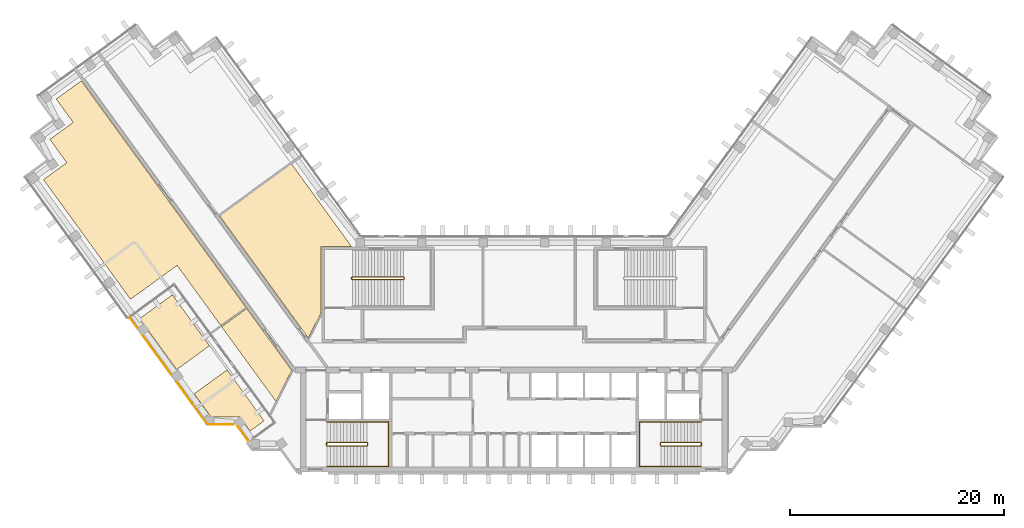
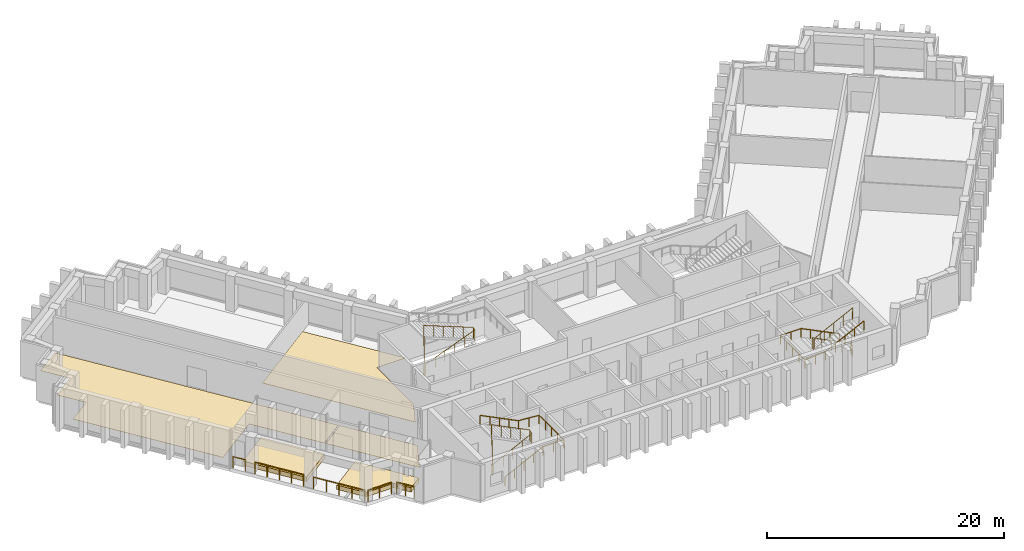
# One storey, part 11 of 12: 10 railings, 5 coverings.
"""IFC4 building model written with IfcOpenShell, lengths in metres."""

from ifc_helpers import new_model, si_unit, direction, frame, origin, origin_2d, place, context, subcontext, project, spatial, polyline, circle, outline, extrude, material, layer, layer_set, type_object, element, save


model = new_model("IFC4")

# Units and contexts
model_context = context("Model", 3, precision=1e-05, world=origin(), true_north=direction((0.0, 1.0)))
body_context = subcontext(model_context, "Body", "Model", "MODEL_VIEW")
ifc_project = project(units=[si_unit("LENGTHUNIT", "METRE"), si_unit("AREAUNIT", "SQUARE_METRE"), si_unit("VOLUMEUNIT", "CUBIC_METRE"), si_unit("PLANEANGLEUNIT", "RADIAN"), si_unit("MASSUNIT", "GRAM", prefix="KILO")], contexts=[model_context])

# Site, building, storey
site_placement = place(None, origin())
site = spatial("IfcSite", under=ifc_project, at=site_placement, CompositionType="ELEMENT")
building_placement = place(site_placement, origin())
building = spatial("IfcBuilding", under=site, at=building_placement, Name="Quipu Civic Tower", CompositionType="ELEMENT")
storey_placement = place(building_placement, frame((0.0, 0.0, 164.0)))
storey = spatial("IfcBuildingStorey", under=building, at=storey_placement, Name="L38", CompositionType="ELEMENT", Elevation=164.0)

# Coverings
ifc_material_1 = material(Name="Carpet tile on raised access floor")
ifc_layer_1 = layer(ifc_material_1, 0.02001953125)
ifc_layer_set_1 = layer_set([ifc_layer_1], Name="Carpet tile on raised access floor")
covering_type_1 = type_object("IfcCoveringType", Name="Carpet tile floor finish 20", PredefinedType="FLOORING", material=ifc_layer_set_1)
covering_1_placement = place(storey_placement, origin())
element("IfcCovering", 1, at=covering_1_placement, inside=storey, type_object=covering_type_1, Name="Carpet tile floor finish 20", PredefinedType="FLOORING", context=body_context, shape_type="SweptSolid", body=[
    extrude(outline(polyline([(-27.577880859375, 13.01708984375), (-20.85498046875, 17.90087890625), (-15.238037109375, 10.169921875), (-18.070068359375, 10.1689453125), (-18.070068359375, 3.94189453125), (-19.27197265625, 1.583984375), (-27.577880859375, 13.01708984375)])), origin(), (0.0, 0.0, 1.0), 0.02001953125),
])
covering_2_placement = place(storey_placement, origin())
element("IfcCovering", 2, at=covering_2_placement, inside=storey, type_object=covering_type_1, Name="Carpet tile floor finish 20", PredefinedType="FLOORING", context=body_context, shape_type="SweptSolid", body=[
    extrude(outline(polyline([(-44.074951171875, 16.4140625), (-41.89208984375, 17.9990234375), (-43.47802734375, 20.18505859375), (-41.294921875, 21.77197265625), (-42.881103515625, 23.9560546875), (-40.52587890625, 25.666015625), (-25.117919921875, 4.4580078125), (-27.472900390625, 2.748046875), (-31.56103515625, 8.3740234375), (-35.928955078125, 5.200927734375), (-44.074951171875, 16.4140625)])), origin(), (0.0, 0.0, 1.0), 0.02001953125),
])
covering_3_placement = place(storey_placement, origin())
element("IfcCovering", 3, at=covering_3_placement, inside=storey, type_object=covering_type_1, Name="Carpet tile floor finish 20", PredefinedType="FLOORING", context=body_context, shape_type="SweptSolid", body=[
    extrude(outline(polyline([(-27.389892578125, 2.635009765625), (-25.034912109375, 4.344970703125), (-20.821044921875, -1.4560546875), (-22.303955078125, -4.365966796875), (-27.389892578125, 2.635009765625)])), origin(), (0.0, 0.0, 1.0), 0.02001953125),
])
ifc_material_2 = material(Name="Planting soil on drainage board")
ifc_layer_2 = layer(ifc_material_2, 0.449951171875)
ifc_layer_set_2 = layer_set([ifc_layer_2], Name="Planting soil on drainage board")
covering_type_2 = type_object("IfcCoveringType", Name="Planted terrace build-up", PredefinedType="FLOORING", material=ifc_layer_set_2)
covering_4_placement = place(storey_placement, origin())
element("IfcCovering", 4, at=covering_4_placement, inside=storey, type_object=covering_type_2, Name="Planted terrace L38 bed 1", PredefinedType="FLOORING", context=body_context, shape_type="SweptSolid", body=[
    extrude(outline(polyline([(-35.0703125, 3.38916015625), (-31.99609375, 5.622802734375), (-28.528076171875, 0.849609375), (-31.602294921875, -1.38427734375), (-35.0703125, 3.38916015625)])), origin(), (0.0, 0.0, 1.0), 0.449951171875),
])
covering_5_placement = place(storey_placement, origin())
element("IfcCovering", 5, at=covering_5_placement, inside=storey, type_object=covering_type_2, Name="Planted terrace L38 bed 2", PredefinedType="FLOORING", context=body_context, shape_type="SweptSolid", body=[
    extrude(outline(polyline([(-25.671142578125, -5.831298828125), (-28.37109375, -5.831298828125), (-29.956298828125, -3.6494140625), (-26.882080078125, -1.415771484375), (-23.414306640625, -6.18896484375), (-24.721435546875, -7.138427734375), (-25.671142578125, -5.831298828125)])), origin(), (0.0, 0.0, 1.0), 0.449951171875),
])

# Railings
ifc_material_3 = material(Name="Stainless steel", Category="steel")
railing_type_1 = type_object("IfcRailingType", Name="Stair guard 1100", PredefinedType="GUARDRAIL", material=ifc_material_3)
railing_1_placement = place(storey_placement, frame((-17.5, -8.550048828125, 0.15380859375)))
element("IfcRailing", 6, at=railing_1_placement, inside=storey, type_object=railing_type_1, Name="Stair 1 guard", PredefinedType="GUARDRAIL", context=body_context, shape_type="SweptSolid", body=[
    extrude(circle(Radius=0.02392578125, at=origin_2d()), frame((0.0, 0.0, 1.076171875), z_axis=(0.895751851347, 0.0, 0.444554407028), x_axis=(0.0, 1.0, 0.0)), (0.0, 0.0, 1.0), 4.15283203125),
    extrude(circle(Radius=0.02392578125, at=origin_2d()), frame((3.719970703125, 0.0, 2.92236328125), z_axis=(0.707106781187, 0.707106781187, 0.0), x_axis=(-0.707106781187, 0.707106781187, 0.0)), (0.0, 0.0, 1.0), 0.07080078125),
    extrude(circle(Radius=0.02392578125, at=origin_2d()), frame((3.77001953125, 0.050048828125, 2.92236328125), z_axis=(0.0, 1.0, 0.0), x_axis=(-1.0, 0.0, 0.0)), (0.0, 0.0, 1.0), 0.25),
    extrude(circle(Radius=0.02392578125, at=origin_2d()), frame((3.77001953125, 0.300048828125, 2.92236328125), z_axis=(-0.295599637079, 0.295599637079, 0.908428152975), x_axis=(-0.707106781187, -0.707106781187, 0.0)), (0.0, 0.0, 1.0), 0.16943359375),
    extrude(circle(Radius=0.02392578125, at=origin_2d()), frame((3.719970703125, 0.35009765625, 3.076171875), z_axis=(-0.895751851347, 0.0, 0.444554407028), x_axis=(0.0, -1.0, 0.0)), (0.0, 0.0, 1.0), 4.15283203125),
    extrude(circle(Radius=0.02392578125, at=origin_2d()), frame((0.0, 0.35009765625, 4.92236328125), z_axis=(-0.012476181752, -0.074796231092, -0.997120789425), x_axis=(0.986372223864, -0.164529134168, 0.0)), (0.0, 0.0, 1.0), 4.011474609375),
    extrude(circle(Radius=0.02392578125, at=origin_2d()), frame((-0.050048828125, 0.050048828125, 0.92236328125), z_axis=(0.0, 1.0, 0.0), x_axis=(-1.0, 0.0, 0.0)), (0.0, 0.0, 1.0), 0.25),
    extrude(circle(Radius=0.02099609375, at=origin_2d()), origin(), (0.0, 0.0, 1.0), 1.052001953125),
    extrude(circle(Radius=0.02099609375, at=origin_2d()), frame((0.929931640625, 0.0, 0.46142578125)), (0.0, 0.0, 1.0), 1.052001953125),
    extrude(circle(Radius=0.02099609375, at=origin_2d()), frame((1.85986328125, 0.0, 0.923095703125)), (0.0, 0.0, 1.0), 1.052001953125),
    extrude(circle(Radius=0.02099609375, at=origin_2d()), frame((2.7900390625, 0.0, 1.384765625)), (0.0, 0.0, 1.0), 1.052001953125),
    extrude(circle(Radius=0.02099609375, at=origin_2d()), frame((3.719970703125, 0.0, 1.84619140625)), (0.0, 0.0, 1.0), 1.052001953125),
    extrude(circle(Radius=0.02099609375, at=origin_2d()), frame((3.77001953125, 0.050048828125, 1.84619140625)), (0.0, 0.0, 1.0), 1.052001953125),
    extrude(circle(Radius=0.02099609375, at=origin_2d()), frame((3.77001953125, 0.300048828125, 1.84619140625)), (0.0, 0.0, 1.0), 1.052001953125),
    extrude(circle(Radius=0.02099609375, at=origin_2d()), frame((3.719970703125, 0.35009765625, 2.0)), (0.0, 0.0, 1.0), 1.052001953125),
    extrude(circle(Radius=0.02099609375, at=origin_2d()), frame((2.7900390625, 0.35009765625, 2.46142578125)), (0.0, 0.0, 1.0), 1.052001953125),
    extrude(circle(Radius=0.02099609375, at=origin_2d()), frame((1.85986328125, 0.35009765625, 2.923095703125)), (0.0, 0.0, 1.0), 1.052001953125),
    extrude(circle(Radius=0.02099609375, at=origin_2d()), frame((0.929931640625, 0.35009765625, 3.384765625)), (0.0, 0.0, 1.0), 1.052001953125),
    extrude(circle(Radius=0.02099609375, at=origin_2d()), frame((0.0, 0.35009765625, 3.84619140625)), (0.0, 0.0, 1.0), 1.052001953125),
    extrude(circle(Radius=0.02099609375, at=origin_2d()), frame((-0.012451171875, 0.275146484375, 2.84619140625)), (0.0, 0.0, 1.0), 1.052001953125),
    extrude(circle(Radius=0.02099609375, at=origin_2d()), frame((-0.02490234375, 0.2001953125, 1.84619140625)), (0.0, 0.0, 1.0), 1.052001953125),
    extrude(circle(Radius=0.02099609375, at=origin_2d()), frame((-0.03759765625, 0.125, 0.84619140625)), (0.0, 0.0, 1.0), 1.052001953125),
    extrude(circle(Radius=0.02099609375, at=origin_2d()), frame((-0.050048828125, 0.050048828125, -0.15380859375)), (0.0, 0.0, 1.0), 1.052001953125),
    extrude(circle(Radius=0.02099609375, at=origin_2d()), frame((-0.050048828125, 0.300048828125, -0.15380859375)), (0.0, 0.0, 1.0), 1.052001953125),
])
railing_2_placement = place(storey_placement, frame((17.5, -8.199951171875, 0.15380859375)))
element("IfcRailing", 7, at=railing_2_placement, inside=storey, type_object=railing_type_1, Name="Stair 2 guard", PredefinedType="GUARDRAIL", context=body_context, shape_type="SweptSolid", body=[
    extrude(circle(Radius=0.02392578125, at=origin_2d()), frame((0.0, 0.0, 1.076171875), z_axis=(-0.895751851347, 0.0, 0.444554407028), x_axis=(0.0, -1.0, 0.0)), (0.0, 0.0, 1.0), 4.15283203125),
    extrude(circle(Radius=0.02392578125, at=origin_2d()), frame((-3.719970703125, 0.0, 2.92236328125), z_axis=(-0.707106781187, -0.707106781187, 0.0), x_axis=(0.707106781187, -0.707106781187, 0.0)), (0.0, 0.0, 1.0), 0.07080078125),
    extrude(circle(Radius=0.02392578125, at=origin_2d()), frame((-3.77001953125, -0.050048828125, 2.92236328125), z_axis=(0.0, -1.0, 0.0), x_axis=(1.0, 0.0, 0.0)), (0.0, 0.0, 1.0), 0.25),
    extrude(circle(Radius=0.02392578125, at=origin_2d()), frame((-3.77001953125, -0.300048828125, 2.92236328125), z_axis=(0.295599637079, -0.295599637079, 0.908428152975), x_axis=(0.707106781187, 0.707106781187, 0.0)), (0.0, 0.0, 1.0), 0.16943359375),
    extrude(circle(Radius=0.02392578125, at=origin_2d()), frame((-3.719970703125, -0.35009765625, 3.076171875), z_axis=(0.895751851347, 0.0, 0.444554407028), x_axis=(0.0, 1.0, 0.0)), (0.0, 0.0, 1.0), 4.15283203125),
    extrude(circle(Radius=0.02392578125, at=origin_2d()), frame((0.0, -0.35009765625, 4.92236328125), z_axis=(0.012476181752, 0.074796231092, -0.997120789425), x_axis=(-0.986372223864, 0.164529134168, 0.0)), (0.0, 0.0, 1.0), 4.011474609375),
    extrude(circle(Radius=0.02392578125, at=origin_2d()), frame((0.050048828125, -0.050048828125, 0.92236328125), z_axis=(0.0, -1.0, 0.0), x_axis=(1.0, 0.0, 0.0)), (0.0, 0.0, 1.0), 0.25),
    extrude(circle(Radius=0.02099609375, at=origin_2d()), origin(), (0.0, 0.0, 1.0), 1.052001953125),
    extrude(circle(Radius=0.02099609375, at=origin_2d()), frame((-0.929931640625, 0.0, 0.46142578125)), (0.0, 0.0, 1.0), 1.052001953125),
    extrude(circle(Radius=0.02099609375, at=origin_2d()), frame((-1.85986328125, 0.0, 0.923095703125)), (0.0, 0.0, 1.0), 1.052001953125),
    extrude(circle(Radius=0.02099609375, at=origin_2d()), frame((-2.7900390625, 0.0, 1.384765625)), (0.0, 0.0, 1.0), 1.052001953125),
    extrude(circle(Radius=0.02099609375, at=origin_2d()), frame((-3.719970703125, 0.0, 1.84619140625)), (0.0, 0.0, 1.0), 1.052001953125),
    extrude(circle(Radius=0.02099609375, at=origin_2d()), frame((-3.77001953125, -0.050048828125, 1.84619140625)), (0.0, 0.0, 1.0), 1.052001953125),
    extrude(circle(Radius=0.02099609375, at=origin_2d()), frame((-3.77001953125, -0.300048828125, 1.84619140625)), (0.0, 0.0, 1.0), 1.052001953125),
    extrude(circle(Radius=0.02099609375, at=origin_2d()), frame((-3.719970703125, -0.35009765625, 2.0)), (0.0, 0.0, 1.0), 1.052001953125),
    extrude(circle(Radius=0.02099609375, at=origin_2d()), frame((-2.7900390625, -0.35009765625, 2.46142578125)), (0.0, 0.0, 1.0), 1.052001953125),
    extrude(circle(Radius=0.02099609375, at=origin_2d()), frame((-1.85986328125, -0.35009765625, 2.923095703125)), (0.0, 0.0, 1.0), 1.052001953125),
    extrude(circle(Radius=0.02099609375, at=origin_2d()), frame((-0.929931640625, -0.35009765625, 3.384765625)), (0.0, 0.0, 1.0), 1.052001953125),
    extrude(circle(Radius=0.02099609375, at=origin_2d()), frame((0.0, -0.35009765625, 3.84619140625)), (0.0, 0.0, 1.0), 1.052001953125),
    extrude(circle(Radius=0.02099609375, at=origin_2d()), frame((0.012451171875, -0.275146484375, 2.84619140625)), (0.0, 0.0, 1.0), 1.052001953125),
    extrude(circle(Radius=0.02099609375, at=origin_2d()), frame((0.02490234375, -0.2001953125, 1.84619140625)), (0.0, 0.0, 1.0), 1.052001953125),
    extrude(circle(Radius=0.02099609375, at=origin_2d()), frame((0.03759765625, -0.125, 0.84619140625)), (0.0, 0.0, 1.0), 1.052001953125),
    extrude(circle(Radius=0.02099609375, at=origin_2d()), frame((0.050048828125, -0.050048828125, -0.15380859375)), (0.0, 0.0, 1.0), 1.052001953125),
    extrude(circle(Radius=0.02099609375, at=origin_2d()), frame((0.050048828125, -0.300048828125, -0.15380859375)), (0.0, 0.0, 1.0), 1.052001953125),
])
railing_3_placement = place(storey_placement, frame((-15.14990234375, 7.050048828125, 0.11767578125)))
element("IfcRailing", 8, at=railing_3_placement, inside=storey, type_object=railing_type_1, Name="Stair 3 guard", PredefinedType="GUARDRAIL", context=body_context, shape_type="SweptSolid", body=[
    extrude(circle(Radius=0.02392578125, at=origin_2d()), frame((0.0, 0.0, 1.076171875), z_axis=(0.930970042603, 0.0, 0.365095576219), x_axis=(0.0, 1.0, 0.0)), (0.0, 0.0, 1.0), 5.15576171875),
    extrude(circle(Radius=0.02392578125, at=origin_2d()), frame((4.7998046875, 0.0, 2.95849609375), z_axis=(0.707106781187, 0.707106781187, 0.0), x_axis=(-0.707106781187, 0.707106781187, 0.0)), (0.0, 0.0, 1.0), 0.07080078125),
    extrude(circle(Radius=0.02392578125, at=origin_2d()), frame((4.849853515625, 0.050048828125, 2.95849609375), z_axis=(0.0, 1.0, 0.0), x_axis=(-1.0, 0.0, 0.0)), (0.0, 0.0, 1.0), 0.14990234375),
    extrude(circle(Radius=0.02392578125, at=origin_2d()), frame((4.849853515625, 0.199951171875, 2.95849609375), z_axis=(-0.364463019033, 0.364463019033, 0.856932561824), x_axis=(-0.707106781187, -0.707106781187, 0.0)), (0.0, 0.0, 1.0), 0.13720703125),
    extrude(circle(Radius=0.02392578125, at=origin_2d()), frame((4.7998046875, 0.25, 3.076171875), z_axis=(-0.930970042603, 0.0, 0.365095576219), x_axis=(0.0, -1.0, 0.0)), (0.0, 0.0, 1.0), 5.15576171875),
    extrude(circle(Radius=0.02392578125, at=origin_2d()), frame((0.0, 0.25, 4.95849609375), z_axis=(-0.012495627992, -0.049921557685, -0.998674970829), x_axis=(0.970072785993, -0.242814311512, 0.0)), (0.0, 0.0, 1.0), 4.00537109375),
    extrude(circle(Radius=0.02392578125, at=origin_2d()), frame((-0.050048828125, 0.050048828125, 0.95849609375), z_axis=(0.0, 1.0, 0.0), x_axis=(-1.0, 0.0, 0.0)), (0.0, 0.0, 1.0), 0.14990234375),
    extrude(circle(Radius=0.02099609375, at=origin_2d()), origin(), (0.0, 0.0, 1.0), 1.052001953125),
    extrude(circle(Radius=0.02099609375, at=origin_2d()), frame((0.9599609375, 0.0, 0.37646484375)), (0.0, 0.0, 1.0), 1.052001953125),
    extrude(circle(Radius=0.02099609375, at=origin_2d()), frame((1.919921875, 0.0, 0.7529296875)), (0.0, 0.0, 1.0), 1.052001953125),
    extrude(circle(Radius=0.02099609375, at=origin_2d()), frame((2.8798828125, 0.0, 1.12939453125)), (0.0, 0.0, 1.0), 1.052001953125),
    extrude(circle(Radius=0.02099609375, at=origin_2d()), frame((3.83984375, 0.0, 1.505859375)), (0.0, 0.0, 1.0), 1.052001953125),
    extrude(circle(Radius=0.02099609375, at=origin_2d()), frame((4.7998046875, 0.0, 1.88232421875)), (0.0, 0.0, 1.0), 1.052001953125),
    extrude(circle(Radius=0.02099609375, at=origin_2d()), frame((4.849853515625, 0.050048828125, 1.88232421875)), (0.0, 0.0, 1.0), 1.052001953125),
    extrude(circle(Radius=0.02099609375, at=origin_2d()), frame((4.849853515625, 0.199951171875, 1.88232421875)), (0.0, 0.0, 1.0), 1.052001953125),
    extrude(circle(Radius=0.02099609375, at=origin_2d()), frame((4.7998046875, 0.25, 2.0)), (0.0, 0.0, 1.0), 1.052001953125),
    extrude(circle(Radius=0.02099609375, at=origin_2d()), frame((3.83984375, 0.25, 2.37646484375)), (0.0, 0.0, 1.0), 1.052001953125),
    extrude(circle(Radius=0.02099609375, at=origin_2d()), frame((2.8798828125, 0.25, 2.7529296875)), (0.0, 0.0, 1.0), 1.052001953125),
    extrude(circle(Radius=0.02099609375, at=origin_2d()), frame((1.919921875, 0.25, 3.12939453125)), (0.0, 0.0, 1.0), 1.052001953125),
    extrude(circle(Radius=0.02099609375, at=origin_2d()), frame((0.9599609375, 0.25, 3.505859375)), (0.0, 0.0, 1.0), 1.052001953125),
    extrude(circle(Radius=0.02099609375, at=origin_2d()), frame((0.0, 0.25, 3.88232421875)), (0.0, 0.0, 1.0), 1.052001953125),
    extrude(circle(Radius=0.02099609375, at=origin_2d()), frame((-0.012451171875, 0.199951171875, 2.88232421875)), (0.0, 0.0, 1.0), 1.052001953125),
    extrude(circle(Radius=0.02099609375, at=origin_2d()), frame((-0.02490234375, 0.14990234375, 1.88232421875)), (0.0, 0.0, 1.0), 1.052001953125),
    extrude(circle(Radius=0.02099609375, at=origin_2d()), frame((-0.03759765625, 0.10009765625, 0.88232421875)), (0.0, 0.0, 1.0), 1.052001953125),
    extrude(circle(Radius=0.02099609375, at=origin_2d()), frame((-0.050048828125, 0.050048828125, -0.11767578125)), (0.0, 0.0, 1.0), 1.052001953125),
    extrude(circle(Radius=0.02099609375, at=origin_2d()), frame((-0.050048828125, 0.199951171875, -0.11767578125)), (0.0, 0.0, 1.0), 1.052001953125),
])
ifc_material_4 = material(Name="Stainless steel", Category="steel")
railing_type_2 = type_object("IfcRailingType", Name="Stair handrail", PredefinedType="HANDRAIL", material=ifc_material_4)
railing_4_placement = place(storey_placement, frame((-17.5, -10.449951171875, 0.15380859375)))
element("IfcRailing", 9, at=railing_4_placement, inside=storey, type_object=railing_type_2, Name="Stair 1 handrail", PredefinedType="HANDRAIL", context=body_context, shape_type="SweptSolid", body=[
    extrude(circle(Radius=0.02392578125, at=origin_2d()), frame((0.0, 0.0, 0.8759765625), z_axis=(0.895751851347, 0.0, 0.444554407028), x_axis=(0.0, 1.0, 0.0)), (0.0, 0.0, 1.0), 4.15283203125),
    extrude(circle(Radius=0.02392578125, at=origin_2d()), frame((3.719970703125, 0.0, 2.72216796875), z_axis=(1.0, 0.0, 0.0), x_axis=(0.0, 1.0, 0.0)), (0.0, 0.0, 1.0), 2.030029296875),
    extrude(circle(Radius=0.02392578125, at=origin_2d()), frame((5.75, 0.0, 2.72216796875), z_axis=(0.0, 1.0, 0.0), x_axis=(-1.0, 0.0, 0.0)), (0.0, 0.0, 1.0), 4.14990234375),
    extrude(circle(Radius=0.02392578125, at=origin_2d()), frame((5.75, 4.14990234375, 2.72216796875), z_axis=(-0.997142003663, 0.0, 0.075550145798), x_axis=(0.0, -1.0, 0.0)), (0.0, 0.0, 1.0), 2.035888671875),
    extrude(circle(Radius=0.02392578125, at=origin_2d()), frame((3.719970703125, 4.14990234375, 2.8759765625), z_axis=(-0.895751851347, 0.0, 0.444554407028), x_axis=(0.0, -1.0, 0.0)), (0.0, 0.0, 1.0), 4.15283203125),
    extrude(circle(Radius=0.02099609375, at=origin_2d()), origin(), (0.0, 0.0, 1.0), 0.851806640625),
    extrude(circle(Radius=0.02099609375, at=origin_2d()), frame((0.929931640625, 0.0, 0.46142578125)), (0.0, 0.0, 1.0), 0.851806640625),
    extrude(circle(Radius=0.02099609375, at=origin_2d()), frame((1.85986328125, 0.0, 0.923095703125)), (0.0, 0.0, 1.0), 0.851806640625),
    extrude(circle(Radius=0.02099609375, at=origin_2d()), frame((2.7900390625, 0.0, 1.384765625)), (0.0, 0.0, 1.0), 0.851806640625),
    extrude(circle(Radius=0.02099609375, at=origin_2d()), frame((3.719970703125, 0.0, 1.84619140625)), (0.0, 0.0, 1.0), 0.851806640625),
    extrude(circle(Radius=0.02099609375, at=origin_2d()), frame((4.73486328125, 0.0, 1.84619140625)), (0.0, 0.0, 1.0), 0.851806640625),
    extrude(circle(Radius=0.02099609375, at=origin_2d()), frame((5.75, 0.0, 1.84619140625)), (0.0, 0.0, 1.0), 0.851806640625),
    extrude(circle(Radius=0.02099609375, at=origin_2d()), frame((5.75, 1.03759765625, 1.84619140625)), (0.0, 0.0, 1.0), 0.851806640625),
    extrude(circle(Radius=0.02099609375, at=origin_2d()), frame((5.75, 2.074951171875, 1.84619140625)), (0.0, 0.0, 1.0), 0.851806640625),
    extrude(circle(Radius=0.02099609375, at=origin_2d()), frame((5.75, 3.1123046875, 1.84619140625)), (0.0, 0.0, 1.0), 0.851806640625),
    extrude(circle(Radius=0.02099609375, at=origin_2d()), frame((5.75, 4.14990234375, 1.84619140625)), (0.0, 0.0, 1.0), 0.851806640625),
    extrude(circle(Radius=0.02099609375, at=origin_2d()), frame((4.73486328125, 4.14990234375, 1.923095703125)), (0.0, 0.0, 1.0), 0.851806640625),
    extrude(circle(Radius=0.02099609375, at=origin_2d()), frame((3.719970703125, 4.14990234375, 2.0)), (0.0, 0.0, 1.0), 0.851806640625),
    extrude(circle(Radius=0.02099609375, at=origin_2d()), frame((2.7900390625, 4.14990234375, 2.46142578125)), (0.0, 0.0, 1.0), 0.851806640625),
    extrude(circle(Radius=0.02099609375, at=origin_2d()), frame((1.85986328125, 4.14990234375, 2.923095703125)), (0.0, 0.0, 1.0), 0.851806640625),
    extrude(circle(Radius=0.02099609375, at=origin_2d()), frame((0.929931640625, 4.14990234375, 3.384765625)), (0.0, 0.0, 1.0), 0.851806640625),
    extrude(circle(Radius=0.02099609375, at=origin_2d()), frame((0.0, 4.14990234375, 3.84619140625)), (0.0, 0.0, 1.0), 0.851806640625),
])
railing_5_placement = place(storey_placement, frame((17.5, -6.300048828125, 0.15380859375)))
element("IfcRailing", 10, at=railing_5_placement, inside=storey, type_object=railing_type_2, Name="Stair 2 handrail", PredefinedType="HANDRAIL", context=body_context, shape_type="SweptSolid", body=[
    extrude(circle(Radius=0.02392578125, at=origin_2d()), frame((0.0, 0.0, 0.8759765625), z_axis=(-0.895751851347, 0.0, 0.444554407028), x_axis=(0.0, -1.0, 0.0)), (0.0, 0.0, 1.0), 4.15283203125),
    extrude(circle(Radius=0.02392578125, at=origin_2d()), frame((-3.719970703125, 0.0, 2.72216796875), z_axis=(-1.0, 0.0, 0.0), x_axis=(0.0, -1.0, 0.0)), (0.0, 0.0, 1.0), 2.030029296875),
    extrude(circle(Radius=0.02392578125, at=origin_2d()), frame((-5.75, 0.0, 2.72216796875), z_axis=(0.0, -1.0, 0.0), x_axis=(1.0, 0.0, 0.0)), (0.0, 0.0, 1.0), 4.14990234375),
    extrude(circle(Radius=0.02392578125, at=origin_2d()), frame((-5.75, -4.14990234375, 2.72216796875), z_axis=(0.997142003663, 0.0, 0.075550145798), x_axis=(0.0, 1.0, 0.0)), (0.0, 0.0, 1.0), 2.035888671875),
    extrude(circle(Radius=0.02392578125, at=origin_2d()), frame((-3.719970703125, -4.14990234375, 2.8759765625), z_axis=(0.895751851347, 0.0, 0.444554407028), x_axis=(0.0, 1.0, 0.0)), (0.0, 0.0, 1.0), 4.15283203125),
    extrude(circle(Radius=0.02099609375, at=origin_2d()), origin(), (0.0, 0.0, 1.0), 0.851806640625),
    extrude(circle(Radius=0.02099609375, at=origin_2d()), frame((-0.929931640625, 0.0, 0.46142578125)), (0.0, 0.0, 1.0), 0.851806640625),
    extrude(circle(Radius=0.02099609375, at=origin_2d()), frame((-1.85986328125, 0.0, 0.923095703125)), (0.0, 0.0, 1.0), 0.851806640625),
    extrude(circle(Radius=0.02099609375, at=origin_2d()), frame((-2.7900390625, 0.0, 1.384765625)), (0.0, 0.0, 1.0), 0.851806640625),
    extrude(circle(Radius=0.02099609375, at=origin_2d()), frame((-3.719970703125, 0.0, 1.84619140625)), (0.0, 0.0, 1.0), 0.851806640625),
    extrude(circle(Radius=0.02099609375, at=origin_2d()), frame((-4.73486328125, 0.0, 1.84619140625)), (0.0, 0.0, 1.0), 0.851806640625),
    extrude(circle(Radius=0.02099609375, at=origin_2d()), frame((-5.75, 0.0, 1.84619140625)), (0.0, 0.0, 1.0), 0.851806640625),
    extrude(circle(Radius=0.02099609375, at=origin_2d()), frame((-5.75, -1.03759765625, 1.84619140625)), (0.0, 0.0, 1.0), 0.851806640625),
    extrude(circle(Radius=0.02099609375, at=origin_2d()), frame((-5.75, -2.074951171875, 1.84619140625)), (0.0, 0.0, 1.0), 0.851806640625),
    extrude(circle(Radius=0.02099609375, at=origin_2d()), frame((-5.75, -3.1123046875, 1.84619140625)), (0.0, 0.0, 1.0), 0.851806640625),
    extrude(circle(Radius=0.02099609375, at=origin_2d()), frame((-5.75, -4.14990234375, 1.84619140625)), (0.0, 0.0, 1.0), 0.851806640625),
    extrude(circle(Radius=0.02099609375, at=origin_2d()), frame((-4.73486328125, -4.14990234375, 1.923095703125)), (0.0, 0.0, 1.0), 0.851806640625),
    extrude(circle(Radius=0.02099609375, at=origin_2d()), frame((-3.719970703125, -4.14990234375, 2.0)), (0.0, 0.0, 1.0), 0.851806640625),
    extrude(circle(Radius=0.02099609375, at=origin_2d()), frame((-2.7900390625, -4.14990234375, 2.46142578125)), (0.0, 0.0, 1.0), 0.851806640625),
    extrude(circle(Radius=0.02099609375, at=origin_2d()), frame((-1.85986328125, -4.14990234375, 2.923095703125)), (0.0, 0.0, 1.0), 0.851806640625),
    extrude(circle(Radius=0.02099609375, at=origin_2d()), frame((-0.929931640625, -4.14990234375, 3.384765625)), (0.0, 0.0, 1.0), 0.851806640625),
    extrude(circle(Radius=0.02099609375, at=origin_2d()), frame((0.0, -4.14990234375, 3.84619140625)), (0.0, 0.0, 1.0), 0.851806640625),
])
ifc_material_5 = material(Name="Steel S275", Category="steel")
railing_type_3 = type_object("IfcRailingType", Name="Terrace guard G1", PredefinedType="GUARDRAIL", material=ifc_material_5)
railing_6_placement = place(storey_placement, frame((-35.97314453125, 3.474853515625, 0.0)))
element("IfcRailing", 11, at=railing_6_placement, inside=storey, type_object=railing_type_3, Name="Terrace guard L38.1", PredefinedType="GUARDRAIL", context=body_context, shape_type="SweptSolid", body=[
    extrude(circle(Radius=0.02490234375, at=origin_2d()), frame((0.0, 0.0, 1.1748046875), z_axis=(0.5879579719, -0.808891478061, 0.0), x_axis=(0.808891478061, 0.5879579719, 0.0)), (0.0, 0.0, 1.0), 1.15478515625),
    extrude(circle(Radius=0.02490234375, at=origin_2d()), origin(), (0.0, 0.0, 1.0), 1.14990234375),
    extrude(circle(Radius=0.02490234375, at=origin_2d()), frame((0.678955078125, -0.93408203125, 0.0)), (0.0, 0.0, 1.0), 1.14990234375),
])
railing_7_placement = place(storey_placement, frame((-34.765380859375, 1.8125, 0.0)))
element("IfcRailing", 12, at=railing_7_placement, inside=storey, type_object=railing_type_3, Name="Terrace guard L38.2", PredefinedType="GUARDRAIL", context=body_context, shape_type="SweptSolid", body=[
    extrude(circle(Radius=0.02490234375, at=origin_2d()), frame((0.0, 0.0, 1.1748046875), z_axis=(0.587803872688, -0.809003465539, 0.0), x_axis=(0.809003465539, 0.587803872688, 0.0)), (0.0, 0.0, 1.0), 4.499755859375),
    extrude(circle(Radius=0.02490234375, at=origin_2d()), origin(), (0.0, 0.0, 1.0), 1.14990234375),
    extrude(circle(Radius=0.02490234375, at=origin_2d()), frame((0.6611328125, -0.91015625, 0.0)), (0.0, 0.0, 1.0), 1.14990234375),
    extrude(circle(Radius=0.02490234375, at=origin_2d()), frame((1.322509765625, -1.8203125, 0.0)), (0.0, 0.0, 1.0), 1.14990234375),
    extrude(circle(Radius=0.02490234375, at=origin_2d()), frame((1.98388671875, -2.730224609375, 0.0)), (0.0, 0.0, 1.0), 1.14990234375),
    extrude(circle(Radius=0.02490234375, at=origin_2d()), frame((2.64501953125, -3.640380859375, 0.0)), (0.0, 0.0, 1.0), 1.14990234375),
])
railing_8_placement = place(storey_placement, frame((-31.59130859375, -2.55615234375, 0.0)))
element("IfcRailing", 13, at=railing_8_placement, inside=storey, type_object=railing_type_3, Name="Terrace guard L38.3", PredefinedType="GUARDRAIL", context=body_context, shape_type="SweptSolid", body=[
    extrude(circle(Radius=0.02490234375, at=origin_2d()), frame((0.0, 0.0, 1.1748046875), z_axis=(0.58779267372, -0.80901160234, 0.0), x_axis=(0.80901160234, 0.58779267372, 0.0)), (0.0, 0.0, 1.0), 4.75),
    extrude(circle(Radius=0.02490234375, at=origin_2d()), origin(), (0.0, 0.0, 1.0), 1.14990234375),
    extrude(circle(Radius=0.02490234375, at=origin_2d()), frame((0.697998046875, -0.960693359375, 0.0)), (0.0, 0.0, 1.0), 1.14990234375),
    extrude(circle(Radius=0.02490234375, at=origin_2d()), frame((1.39599609375, -1.92138671875, 0.0)), (0.0, 0.0, 1.0), 1.14990234375),
    extrude(circle(Radius=0.02490234375, at=origin_2d()), frame((2.093994140625, -2.882080078125, 0.0)), (0.0, 0.0, 1.0), 1.14990234375),
    extrude(circle(Radius=0.02490234375, at=origin_2d()), frame((2.7919921875, -3.8427734375, 0.0)), (0.0, 0.0, 1.0), 1.14990234375),
])
railing_9_placement = place(storey_placement, frame((-28.578857421875, -6.51123046875, 0.0)))
element("IfcRailing", 14, at=railing_9_placement, inside=storey, type_object=railing_type_3, Name="Terrace guard L38.4", PredefinedType="GUARDRAIL", context=body_context, shape_type="SweptSolid", body=[
    extrude(circle(Radius=0.02490234375, at=origin_2d()), frame((0.0, 0.0, 1.1748046875), z_axis=(1.0, 0.0, 0.0), x_axis=(0.0, 1.0, 0.0)), (0.0, 0.0, 1.0), 2.300048828125),
    extrude(circle(Radius=0.02490234375, at=origin_2d()), origin(), (0.0, 0.0, 1.0), 1.14990234375),
    extrude(circle(Radius=0.02490234375, at=origin_2d()), frame((1.14990234375, 0.0, 0.0)), (0.0, 0.0, 1.0), 1.14990234375),
    extrude(circle(Radius=0.02490234375, at=origin_2d()), frame((2.300048828125, 0.0, 0.0)), (0.0, 0.0, 1.0), 1.14990234375),
])
railing_10_placement = place(storey_placement, frame((-25.8642578125, -6.72265625, 0.0)))
element("IfcRailing", 15, at=railing_10_placement, inside=storey, type_object=railing_type_3, Name="Terrace guard L38.5", PredefinedType="GUARDRAIL", context=body_context, shape_type="SweptSolid", body=[
    extrude(circle(Radius=0.02490234375, at=origin_2d()), frame((0.0, 0.0, 1.1748046875), z_axis=(0.58781057605, -0.808998594982, 0.0), x_axis=(0.808998594982, 0.58781057605, 0.0)), (0.0, 0.0, 1.0), 1.608154296875),
    extrude(circle(Radius=0.02490234375, at=origin_2d()), origin(), (0.0, 0.0, 1.0), 1.14990234375),
    extrude(circle(Radius=0.02490234375, at=origin_2d()), frame((0.47265625, -0.650390625, 0.0)), (0.0, 0.0, 1.0), 1.14990234375),
    extrude(circle(Radius=0.02490234375, at=origin_2d()), frame((0.9453125, -1.301025390625, 0.0)), (0.0, 0.0, 1.0), 1.14990234375),
])

save(model, "model.ifc")
